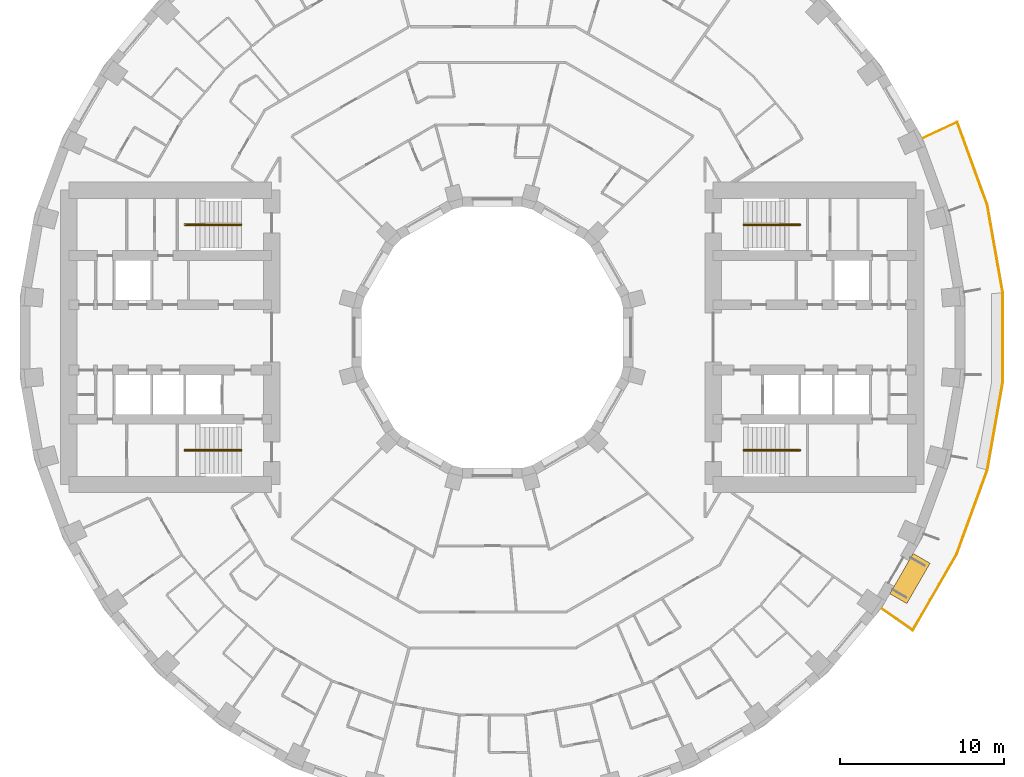
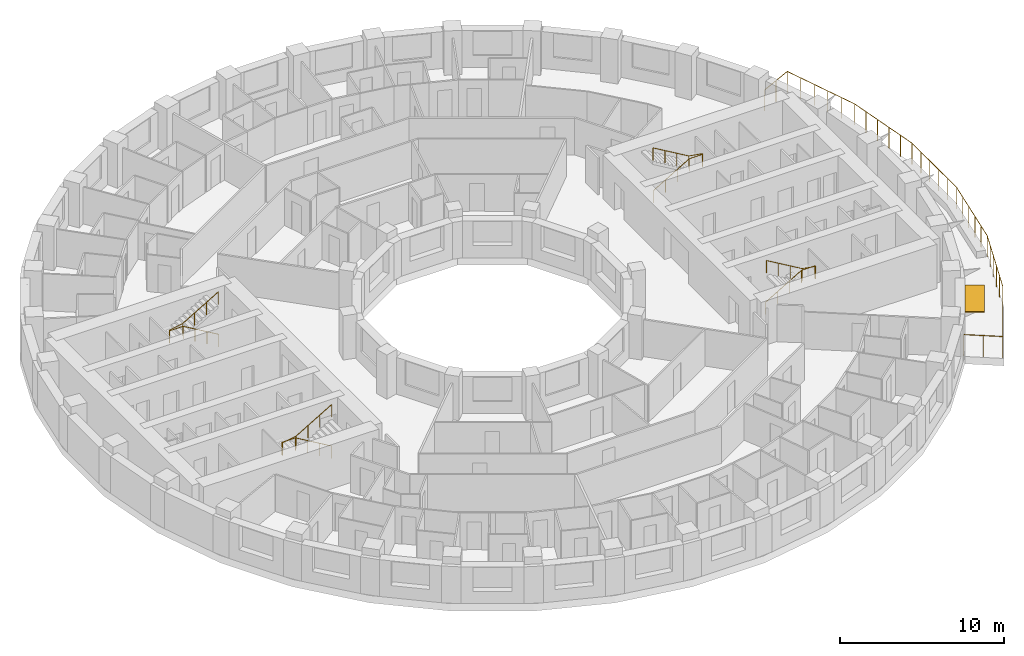
# One storey, part 14 of 14: 5 railings, 1 shading device.
"""IFC4 building model written with IfcOpenShell, lengths in metres."""

from ifc_helpers import new_model, si_unit, direction, frame, origin, origin_2d, place, context, subcontext, project, spatial, rectangle, circle, extrude, material, layer, layer_set, type_object, element, save


model = new_model("IFC4")

# Units and contexts
model_context = context("Model", 3, precision=1e-05, world=origin(), true_north=direction((0.0, 1.0)))
body_context = subcontext(model_context, "Body", "Model", "MODEL_VIEW")
ifc_project = project(units=[si_unit("LENGTHUNIT", "METRE"), si_unit("AREAUNIT", "SQUARE_METRE"), si_unit("VOLUMEUNIT", "CUBIC_METRE"), si_unit("PLANEANGLEUNIT", "RADIAN"), si_unit("MASSUNIT", "GRAM", prefix="KILO")], contexts=[model_context])

# Site, building, storey
site_placement = place(None, origin())
site = spatial("IfcSite", under=ifc_project, at=site_placement, CompositionType="ELEMENT")
building_placement = place(site_placement, origin())
building = spatial("IfcBuilding", under=site, at=building_placement, Name="Saqina Gate Tower", CompositionType="ELEMENT")
storey_placement = place(building_placement, frame((0.0, 0.0, 49.39990234375)))
storey = spatial("IfcBuildingStorey", under=building, at=storey_placement, Name="L13", CompositionType="ELEMENT", Elevation=49.39990234375)

# Shading device
ifc_material_1 = material(Name="Aluminium and fabric awning", Category="aluminium")
ifc_layer = layer(ifc_material_1, 0.050048828125)
ifc_layer_set = layer_set([ifc_layer], Name="AW-TERRACE")
shading_device_type = type_object("IfcShadingDeviceType", Name="AW-TERRACE", PredefinedType="AWNING", material=ifc_layer_set)
shading_device_placement = place(storey_placement, frame((25.538818359375, -14.744873046875, 2.52490234375), z_axis=(0.0, 0.0, 1.0), x_axis=(0.5, 0.866025403784, 0.0)))
element("IfcShadingDevice", 1, at=shading_device_placement, inside=storey, type_object=shading_device_type, Name="Terrace awning L13 facet 33", PredefinedType="AWNING", context=body_context, shape_type="SweptSolid", body=[
    extrude(rectangle(XDim=2.845703125, YDim=1.199951171875, at=origin_2d()), origin(), (0.0, 0.0, 1.0), 0.050048828125),
])

# Railings
ifc_material_2 = material(Name="Stainless steel", Category="steel")
railing_type_1 = type_object("IfcRailingType", Name="RL-TERRACE", PredefinedType="GUARDRAIL", material=ifc_material_2)
railing_1_placement = place(storey_placement, frame((23.752197265625, -16.53369140625, 0.0)))
element("IfcRailing", 2, at=railing_1_placement, inside=storey, type_object=railing_type_1, Name="Terrace guard L13", PredefinedType="GUARDRAIL", context=body_context, shape_type="SweptSolid", body=[
    extrude(circle(Radius=0.02392578125, at=origin_2d()), frame((0.0, 0.0, 1.576171875), z_axis=(0.819111872113, -0.573633803889, 0.0), x_axis=(0.573633803889, 0.819111872113, 0.0)), (0.0, 0.0, 1.0), 2.388916015625),
    extrude(circle(Radius=0.02392578125, at=origin_2d()), frame((1.956787109375, -1.370361328125, 1.576171875), z_axis=(0.49885293236, 0.866686651493, 0.0), x_axis=(-0.866686651493, 0.49885293236, 0.0)), (0.0, 0.0, 1.0), 5.381591796875),
    extrude(circle(Radius=0.02392578125, at=origin_2d()), frame((4.641357421875, 3.293701171875, 1.576171875), z_axis=(0.342048157644, 0.939682423935, 0.0), x_axis=(-0.939682423935, 0.342048157644, 0.0)), (0.0, 0.0, 1.0), 5.4609375),
    extrude(circle(Radius=0.02392578125, at=origin_2d()), frame((6.50927734375, 8.42529296875, 1.576171875), z_axis=(0.17364250929, 0.984808752483, 0.0), x_axis=(-0.984808752483, 0.17364250929, 0.0)), (0.0, 0.0, 1.0), 5.4609375),
    extrude(circle(Radius=0.02392578125, at=origin_2d()), frame((7.45751953125, 13.80322265625, 1.576171875), z_axis=(0.0, 1.0, 0.0), x_axis=(-1.0, 0.0, 0.0)), (0.0, 0.0, 1.0), 5.4609375),
    extrude(circle(Radius=0.02392578125, at=origin_2d()), frame((7.45751953125, 19.26416015625, 1.576171875), z_axis=(-0.17364250929, 0.984808752483, 0.0), x_axis=(-0.984808752483, -0.17364250929, 0.0)), (0.0, 0.0, 1.0), 5.4609375),
    extrude(circle(Radius=0.02392578125, at=origin_2d()), frame((6.50927734375, 24.64208984375, 1.576171875), z_axis=(-0.340810350952, 0.940132067682, 0.0), x_axis=(-0.940132067682, -0.340810350952, 0.0)), (0.0, 0.0, 1.0), 5.38134765625),
    extrude(circle(Radius=0.02392578125, at=origin_2d()), frame((4.67529296875, 29.701171875, 1.576171875), z_axis=(-0.906355396087, -0.422516148785, 0.0), x_axis=(0.422516148785, -0.906355396087, 0.0)), (0.0, 0.0, 1.0), 2.388671875),
    extrude(circle(Radius=0.02099609375, at=origin_2d()), origin(), (0.0, 0.0, 1.0), 1.552001953125),
    extrude(circle(Radius=0.02099609375, at=origin_2d()), frame((0.978515625, -0.68505859375, 0.0)), (0.0, 0.0, 1.0), 1.552001953125),
    extrude(circle(Radius=0.02099609375, at=origin_2d()), frame((1.956787109375, -1.370361328125, 0.0)), (0.0, 0.0, 1.0), 1.552001953125),
    extrude(circle(Radius=0.02099609375, at=origin_2d()), frame((2.49365234375, -0.4375, 0.0)), (0.0, 0.0, 1.0), 1.552001953125),
    extrude(circle(Radius=0.02099609375, at=origin_2d()), frame((3.030517578125, 0.495361328125, 0.0)), (0.0, 0.0, 1.0), 1.552001953125),
    extrude(circle(Radius=0.02099609375, at=origin_2d()), frame((3.567626953125, 1.427978515625, 0.0)), (0.0, 0.0, 1.0), 1.552001953125),
    extrude(circle(Radius=0.02099609375, at=origin_2d()), frame((4.1044921875, 2.36083984375, 0.0)), (0.0, 0.0, 1.0), 1.552001953125),
    extrude(circle(Radius=0.02099609375, at=origin_2d()), frame((4.641357421875, 3.293701171875, 0.0)), (0.0, 0.0, 1.0), 1.552001953125),
    extrude(circle(Radius=0.02099609375, at=origin_2d()), frame((5.014892578125, 4.320068359375, 0.0)), (0.0, 0.0, 1.0), 1.552001953125),
    extrude(circle(Radius=0.02099609375, at=origin_2d()), frame((5.388427734375, 5.346435546875, 0.0)), (0.0, 0.0, 1.0), 1.552001953125),
    extrude(circle(Radius=0.02099609375, at=origin_2d()), frame((5.76220703125, 6.37255859375, 0.0)), (0.0, 0.0, 1.0), 1.552001953125),
    extrude(circle(Radius=0.02099609375, at=origin_2d()), frame((6.1357421875, 7.39892578125, 0.0)), (0.0, 0.0, 1.0), 1.552001953125),
    extrude(circle(Radius=0.02099609375, at=origin_2d()), frame((6.50927734375, 8.42529296875, 0.0)), (0.0, 0.0, 1.0), 1.552001953125),
    extrude(circle(Radius=0.02099609375, at=origin_2d()), frame((6.698974609375, 9.5009765625, 0.0)), (0.0, 0.0, 1.0), 1.552001953125),
    extrude(circle(Radius=0.02099609375, at=origin_2d()), frame((6.888671875, 10.576416015625, 0.0)), (0.0, 0.0, 1.0), 1.552001953125),
    extrude(circle(Radius=0.02099609375, at=origin_2d()), frame((7.078125, 11.652099609375, 0.0)), (0.0, 0.0, 1.0), 1.552001953125),
    extrude(circle(Radius=0.02099609375, at=origin_2d()), frame((7.267822265625, 12.7275390625, 0.0)), (0.0, 0.0, 1.0), 1.552001953125),
    extrude(circle(Radius=0.02099609375, at=origin_2d()), frame((7.45751953125, 13.80322265625, 0.0)), (0.0, 0.0, 1.0), 1.552001953125),
    extrude(circle(Radius=0.02099609375, at=origin_2d()), frame((7.45751953125, 14.8955078125, 0.0)), (0.0, 0.0, 1.0), 1.552001953125),
    extrude(circle(Radius=0.02099609375, at=origin_2d()), frame((7.45751953125, 15.987548828125, 0.0)), (0.0, 0.0, 1.0), 1.552001953125),
    extrude(circle(Radius=0.02099609375, at=origin_2d()), frame((7.45751953125, 17.079833984375, 0.0)), (0.0, 0.0, 1.0), 1.552001953125),
    extrude(circle(Radius=0.02099609375, at=origin_2d()), frame((7.45751953125, 18.171875, 0.0)), (0.0, 0.0, 1.0), 1.552001953125),
    extrude(circle(Radius=0.02099609375, at=origin_2d()), frame((7.45751953125, 19.26416015625, 0.0)), (0.0, 0.0, 1.0), 1.552001953125),
    extrude(circle(Radius=0.02099609375, at=origin_2d()), frame((7.267822265625, 20.33984375, 0.0)), (0.0, 0.0, 1.0), 1.552001953125),
    extrude(circle(Radius=0.02099609375, at=origin_2d()), frame((7.078125, 21.415283203125, 0.0)), (0.0, 0.0, 1.0), 1.552001953125),
    extrude(circle(Radius=0.02099609375, at=origin_2d()), frame((6.888671875, 22.490966796875, 0.0)), (0.0, 0.0, 1.0), 1.552001953125),
    extrude(circle(Radius=0.02099609375, at=origin_2d()), frame((6.698974609375, 23.56640625, 0.0)), (0.0, 0.0, 1.0), 1.552001953125),
    extrude(circle(Radius=0.02099609375, at=origin_2d()), frame((6.50927734375, 24.64208984375, 0.0)), (0.0, 0.0, 1.0), 1.552001953125),
    extrude(circle(Radius=0.02099609375, at=origin_2d()), frame((6.142578125, 25.65380859375, 0.0)), (0.0, 0.0, 1.0), 1.552001953125),
    extrude(circle(Radius=0.02099609375, at=origin_2d()), frame((5.775634765625, 26.665771484375, 0.0)), (0.0, 0.0, 1.0), 1.552001953125),
    extrude(circle(Radius=0.02099609375, at=origin_2d()), frame((5.408935546875, 27.677490234375, 0.0)), (0.0, 0.0, 1.0), 1.552001953125),
    extrude(circle(Radius=0.02099609375, at=origin_2d()), frame((5.0419921875, 28.689453125, 0.0)), (0.0, 0.0, 1.0), 1.552001953125),
    extrude(circle(Radius=0.02099609375, at=origin_2d()), frame((4.67529296875, 29.701171875, 0.0)), (0.0, 0.0, 1.0), 1.552001953125),
    extrude(circle(Radius=0.02099609375, at=origin_2d()), frame((3.5927734375, 29.196533203125, 0.0)), (0.0, 0.0, 1.0), 1.552001953125),
    extrude(circle(Radius=0.02099609375, at=origin_2d()), frame((2.51025390625, 28.69189453125, 0.0)), (0.0, 0.0, 1.0), 1.552001953125),
])
ifc_material_3 = material(Name="Stainless steel", Category="steel")
railing_type_2 = type_object("IfcRailingType", Name="STAIR HANDRAIL", PredefinedType="HANDRAIL", material=ifc_material_3)
railing_2_placement = place(storey_placement, frame((15.35009765625, 6.86669921875, 0.1650390625)))
element("IfcRailing", 3, at=railing_2_placement, inside=storey, type_object=railing_type_2, Name="EXIT STAIR 1 HANDRAIL", PredefinedType="HANDRAIL", context=body_context, shape_type="SweptSolid", body=[
    extrude(circle(Radius=0.02392578125, at=origin_2d()), frame((0.0, 0.0, 0.92578125), z_axis=(0.86152411907, 0.0, 0.507716645641), x_axis=(0.0, 1.0, 0.0)), (0.0, 0.0, 1.0), 2.925048828125),
    extrude(circle(Radius=0.02392578125, at=origin_2d()), frame((2.52001953125, 0.0, 2.4111328125), z_axis=(1.0, 0.0, 0.0), x_axis=(0.0, 1.0, 0.0)), (0.0, 0.0, 1.0), 0.949951171875),
    extrude(circle(Radius=0.02392578125, at=origin_2d()), frame((3.469970703125, 0.0, 2.4111328125), z_axis=(0.0, 1.0, 0.0), x_axis=(-1.0, 0.0, 0.0)), (0.0, 0.0, 1.0), 0.066650390625),
    extrude(circle(Radius=0.02392578125, at=origin_2d()), frame((3.469970703125, 0.066650390625, 2.4111328125), z_axis=(-0.985241474778, 0.0, 0.171170197109), x_axis=(0.0, -1.0, 0.0)), (0.0, 0.0, 1.0), 0.964111328125),
    extrude(circle(Radius=0.02392578125, at=origin_2d()), frame((2.52001953125, 0.066650390625, 2.576171875), z_axis=(-0.861560626758, 0.0, 0.507654692109), x_axis=(0.0, -1.0, 0.0)), (0.0, 0.0, 1.0), 2.925048828125),
    extrude(circle(Radius=0.02099609375, at=origin_2d()), origin(), (0.0, 0.0, 1.0), 0.90185546875),
    extrude(circle(Radius=0.02099609375, at=origin_2d()), frame((0.840087890625, 0.0, 0.4951171875)), (0.0, 0.0, 1.0), 0.90185546875),
    extrude(circle(Radius=0.02099609375, at=origin_2d()), frame((1.679931640625, 0.0, 0.989990234375)), (0.0, 0.0, 1.0), 0.90185546875),
    extrude(circle(Radius=0.02099609375, at=origin_2d()), frame((2.52001953125, 0.0, 1.485107421875)), (0.0, 0.0, 1.0), 0.90185546875),
    extrude(circle(Radius=0.02099609375, at=origin_2d()), frame((3.469970703125, 0.0, 1.485107421875)), (0.0, 0.0, 1.0), 0.90185546875),
    extrude(circle(Radius=0.02099609375, at=origin_2d()), frame((3.469970703125, 0.066650390625, 1.485107421875)), (0.0, 0.0, 1.0), 0.90185546875),
    extrude(circle(Radius=0.02099609375, at=origin_2d()), frame((2.52001953125, 0.066650390625, 1.650146484375)), (0.0, 0.0, 1.0), 0.90185546875),
    extrude(circle(Radius=0.02099609375, at=origin_2d()), frame((1.679931640625, 0.066650390625, 2.14501953125)), (0.0, 0.0, 1.0), 0.90185546875),
    extrude(circle(Radius=0.02099609375, at=origin_2d()), frame((0.840087890625, 0.066650390625, 2.64013671875)), (0.0, 0.0, 1.0), 0.90185546875),
    extrude(circle(Radius=0.02099609375, at=origin_2d()), frame((0.0, 0.066650390625, 3.135009765625)), (0.0, 0.0, 1.0), 0.90185546875),
])
railing_3_placement = place(storey_placement, frame((15.35009765625, -6.86669921875, 0.1650390625)))
element("IfcRailing", 4, at=railing_3_placement, inside=storey, type_object=railing_type_2, Name="EXIT STAIR 2 HANDRAIL", PredefinedType="HANDRAIL", context=body_context, shape_type="SweptSolid", body=[
    extrude(circle(Radius=0.02392578125, at=origin_2d()), frame((0.0, 0.0, 0.92578125), z_axis=(0.86152411907, 0.0, 0.507716645641), x_axis=(0.0, 1.0, 0.0)), (0.0, 0.0, 1.0), 2.925048828125),
    extrude(circle(Radius=0.02392578125, at=origin_2d()), frame((2.52001953125, 0.0, 2.4111328125), z_axis=(1.0, 0.0, 0.0), x_axis=(0.0, 1.0, 0.0)), (0.0, 0.0, 1.0), 0.949951171875),
    extrude(circle(Radius=0.02392578125, at=origin_2d()), frame((3.469970703125, 0.0, 2.4111328125), z_axis=(0.0, -1.0, 0.0), x_axis=(1.0, 0.0, 0.0)), (0.0, 0.0, 1.0), 0.066650390625),
    extrude(circle(Radius=0.02392578125, at=origin_2d()), frame((3.469970703125, -0.066650390625, 2.4111328125), z_axis=(-0.985241474778, 0.0, 0.171170197109), x_axis=(0.0, -1.0, 0.0)), (0.0, 0.0, 1.0), 0.964111328125),
    extrude(circle(Radius=0.02392578125, at=origin_2d()), frame((2.52001953125, -0.066650390625, 2.576171875), z_axis=(-0.861560626758, 0.0, 0.507654692109), x_axis=(0.0, -1.0, 0.0)), (0.0, 0.0, 1.0), 2.925048828125),
    extrude(circle(Radius=0.02099609375, at=origin_2d()), origin(), (0.0, 0.0, 1.0), 0.90185546875),
    extrude(circle(Radius=0.02099609375, at=origin_2d()), frame((0.840087890625, 0.0, 0.4951171875)), (0.0, 0.0, 1.0), 0.90185546875),
    extrude(circle(Radius=0.02099609375, at=origin_2d()), frame((1.679931640625, 0.0, 0.989990234375)), (0.0, 0.0, 1.0), 0.90185546875),
    extrude(circle(Radius=0.02099609375, at=origin_2d()), frame((2.52001953125, 0.0, 1.485107421875)), (0.0, 0.0, 1.0), 0.90185546875),
    extrude(circle(Radius=0.02099609375, at=origin_2d()), frame((3.469970703125, 0.0, 1.485107421875)), (0.0, 0.0, 1.0), 0.90185546875),
    extrude(circle(Radius=0.02099609375, at=origin_2d()), frame((3.469970703125, -0.066650390625, 1.485107421875)), (0.0, 0.0, 1.0), 0.90185546875),
    extrude(circle(Radius=0.02099609375, at=origin_2d()), frame((2.52001953125, -0.066650390625, 1.650146484375)), (0.0, 0.0, 1.0), 0.90185546875),
    extrude(circle(Radius=0.02099609375, at=origin_2d()), frame((1.679931640625, -0.066650390625, 2.14501953125)), (0.0, 0.0, 1.0), 0.90185546875),
    extrude(circle(Radius=0.02099609375, at=origin_2d()), frame((0.840087890625, -0.066650390625, 2.64013671875)), (0.0, 0.0, 1.0), 0.90185546875),
    extrude(circle(Radius=0.02099609375, at=origin_2d()), frame((0.0, -0.066650390625, 3.135009765625)), (0.0, 0.0, 1.0), 0.90185546875),
])
railing_4_placement = place(storey_placement, frame((-15.35009765625, 6.86669921875, 0.1650390625)))
element("IfcRailing", 5, at=railing_4_placement, inside=storey, type_object=railing_type_2, Name="EXIT STAIR 3 HANDRAIL", PredefinedType="HANDRAIL", context=body_context, shape_type="SweptSolid", body=[
    extrude(circle(Radius=0.02392578125, at=origin_2d()), frame((0.0, 0.0, 0.92578125), z_axis=(-0.86152411907, 0.0, 0.507716645641), x_axis=(0.0, -1.0, 0.0)), (0.0, 0.0, 1.0), 2.925048828125),
    extrude(circle(Radius=0.02392578125, at=origin_2d()), frame((-2.52001953125, 0.0, 2.4111328125), z_axis=(-1.0, 0.0, 0.0), x_axis=(0.0, -1.0, 0.0)), (0.0, 0.0, 1.0), 0.949951171875),
    extrude(circle(Radius=0.02392578125, at=origin_2d()), frame((-3.469970703125, 0.0, 2.4111328125), z_axis=(0.0, 1.0, 0.0), x_axis=(-1.0, 0.0, 0.0)), (0.0, 0.0, 1.0), 0.066650390625),
    extrude(circle(Radius=0.02392578125, at=origin_2d()), frame((-3.469970703125, 0.066650390625, 2.4111328125), z_axis=(0.985241474778, 0.0, 0.171170197109), x_axis=(0.0, 1.0, 0.0)), (0.0, 0.0, 1.0), 0.964111328125),
    extrude(circle(Radius=0.02392578125, at=origin_2d()), frame((-2.52001953125, 0.066650390625, 2.576171875), z_axis=(0.861560626758, 0.0, 0.507654692109), x_axis=(0.0, 1.0, 0.0)), (0.0, 0.0, 1.0), 2.925048828125),
    extrude(circle(Radius=0.02099609375, at=origin_2d()), origin(), (0.0, 0.0, 1.0), 0.90185546875),
    extrude(circle(Radius=0.02099609375, at=origin_2d()), frame((-0.840087890625, 0.0, 0.4951171875)), (0.0, 0.0, 1.0), 0.90185546875),
    extrude(circle(Radius=0.02099609375, at=origin_2d()), frame((-1.679931640625, 0.0, 0.989990234375)), (0.0, 0.0, 1.0), 0.90185546875),
    extrude(circle(Radius=0.02099609375, at=origin_2d()), frame((-2.52001953125, 0.0, 1.485107421875)), (0.0, 0.0, 1.0), 0.90185546875),
    extrude(circle(Radius=0.02099609375, at=origin_2d()), frame((-3.469970703125, 0.0, 1.485107421875)), (0.0, 0.0, 1.0), 0.90185546875),
    extrude(circle(Radius=0.02099609375, at=origin_2d()), frame((-3.469970703125, 0.066650390625, 1.485107421875)), (0.0, 0.0, 1.0), 0.90185546875),
    extrude(circle(Radius=0.02099609375, at=origin_2d()), frame((-2.52001953125, 0.066650390625, 1.650146484375)), (0.0, 0.0, 1.0), 0.90185546875),
    extrude(circle(Radius=0.02099609375, at=origin_2d()), frame((-1.679931640625, 0.066650390625, 2.14501953125)), (0.0, 0.0, 1.0), 0.90185546875),
    extrude(circle(Radius=0.02099609375, at=origin_2d()), frame((-0.840087890625, 0.066650390625, 2.64013671875)), (0.0, 0.0, 1.0), 0.90185546875),
    extrude(circle(Radius=0.02099609375, at=origin_2d()), frame((0.0, 0.066650390625, 3.135009765625)), (0.0, 0.0, 1.0), 0.90185546875),
])
railing_5_placement = place(storey_placement, frame((-15.35009765625, -6.86669921875, 0.1650390625)))
element("IfcRailing", 6, at=railing_5_placement, inside=storey, type_object=railing_type_2, Name="EXIT STAIR 4 HANDRAIL", PredefinedType="HANDRAIL", context=body_context, shape_type="SweptSolid", body=[
    extrude(circle(Radius=0.02392578125, at=origin_2d()), frame((0.0, 0.0, 0.92578125), z_axis=(-0.86152411907, 0.0, 0.507716645641), x_axis=(0.0, -1.0, 0.0)), (0.0, 0.0, 1.0), 2.925048828125),
    extrude(circle(Radius=0.02392578125, at=origin_2d()), frame((-2.52001953125, 0.0, 2.4111328125), z_axis=(-1.0, 0.0, 0.0), x_axis=(0.0, -1.0, 0.0)), (0.0, 0.0, 1.0), 0.949951171875),
    extrude(circle(Radius=0.02392578125, at=origin_2d()), frame((-3.469970703125, 0.0, 2.4111328125), z_axis=(0.0, -1.0, 0.0), x_axis=(1.0, 0.0, 0.0)), (0.0, 0.0, 1.0), 0.066650390625),
    extrude(circle(Radius=0.02392578125, at=origin_2d()), frame((-3.469970703125, -0.066650390625, 2.4111328125), z_axis=(0.985241474778, 0.0, 0.171170197109), x_axis=(0.0, 1.0, 0.0)), (0.0, 0.0, 1.0), 0.964111328125),
    extrude(circle(Radius=0.02392578125, at=origin_2d()), frame((-2.52001953125, -0.066650390625, 2.576171875), z_axis=(0.861560626758, 0.0, 0.507654692109), x_axis=(0.0, 1.0, 0.0)), (0.0, 0.0, 1.0), 2.925048828125),
    extrude(circle(Radius=0.02099609375, at=origin_2d()), origin(), (0.0, 0.0, 1.0), 0.90185546875),
    extrude(circle(Radius=0.02099609375, at=origin_2d()), frame((-0.840087890625, 0.0, 0.4951171875)), (0.0, 0.0, 1.0), 0.90185546875),
    extrude(circle(Radius=0.02099609375, at=origin_2d()), frame((-1.679931640625, 0.0, 0.989990234375)), (0.0, 0.0, 1.0), 0.90185546875),
    extrude(circle(Radius=0.02099609375, at=origin_2d()), frame((-2.52001953125, 0.0, 1.485107421875)), (0.0, 0.0, 1.0), 0.90185546875),
    extrude(circle(Radius=0.02099609375, at=origin_2d()), frame((-3.469970703125, 0.0, 1.485107421875)), (0.0, 0.0, 1.0), 0.90185546875),
    extrude(circle(Radius=0.02099609375, at=origin_2d()), frame((-3.469970703125, -0.066650390625, 1.485107421875)), (0.0, 0.0, 1.0), 0.90185546875),
    extrude(circle(Radius=0.02099609375, at=origin_2d()), frame((-2.52001953125, -0.066650390625, 1.650146484375)), (0.0, 0.0, 1.0), 0.90185546875),
    extrude(circle(Radius=0.02099609375, at=origin_2d()), frame((-1.679931640625, -0.066650390625, 2.14501953125)), (0.0, 0.0, 1.0), 0.90185546875),
    extrude(circle(Radius=0.02099609375, at=origin_2d()), frame((-0.840087890625, -0.066650390625, 2.64013671875)), (0.0, 0.0, 1.0), 0.90185546875),
    extrude(circle(Radius=0.02099609375, at=origin_2d()), frame((0.0, -0.066650390625, 3.135009765625)), (0.0, 0.0, 1.0), 0.90185546875),
])

save(model, "model.ifc")
